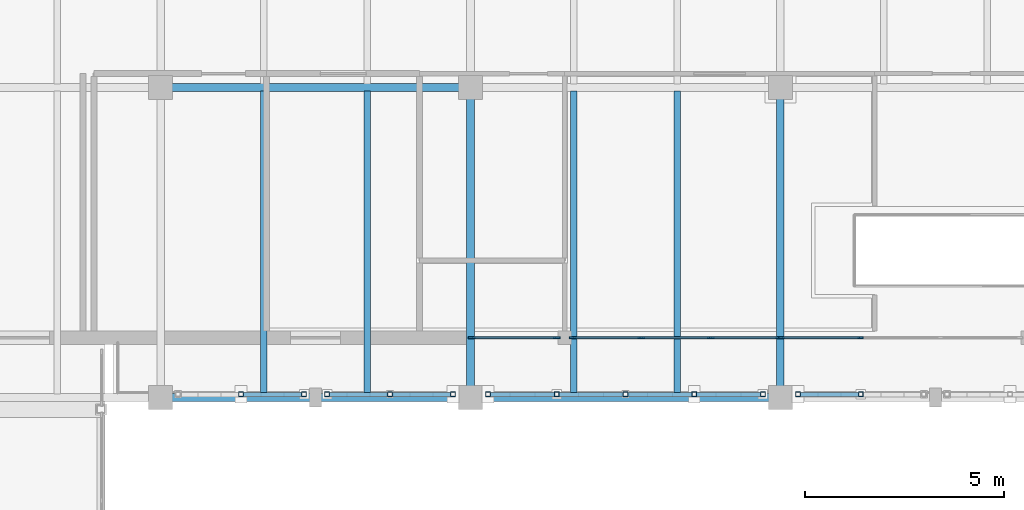
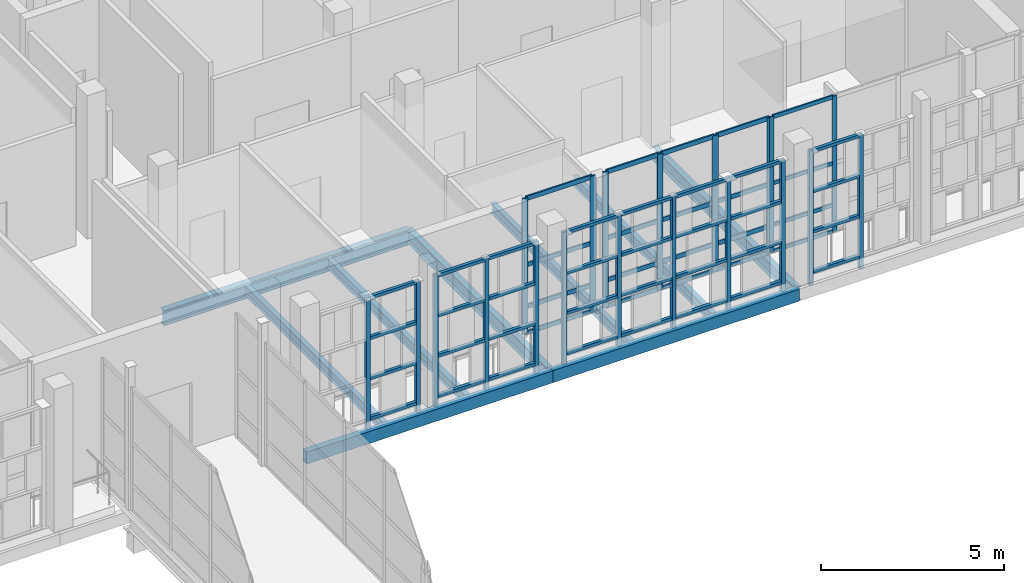
# One storey, part 56 of 138: 72 members, 9 beams, 3 elements without a shape of their own.
"""IFC4 building model written with IfcOpenShell, lengths in metres."""

from ifc_helpers import new_model, si_unit, direction, frame, origin, origin_2d, place, context, subcontext, project, spatial, rectangle, hollow_rectangle, i_section, extrude, material, layer, layer_set, material_profile, profile_set, type_object, element, aggregate, save


model = new_model("IFC4")

# Units and contexts
model_context = context("Model", 3, precision=1e-05, world=origin(), true_north=direction((0.0, 1.0)))
body_context = subcontext(model_context, "Body", "Model", "MODEL_VIEW")
ifc_project = project(units=[si_unit("LENGTHUNIT", "METRE"), si_unit("AREAUNIT", "SQUARE_METRE"), si_unit("VOLUMEUNIT", "CUBIC_METRE"), si_unit("PLANEANGLEUNIT", "RADIAN"), si_unit("MASSUNIT", "GRAM", prefix="KILO")], contexts=[model_context])

# Site, building, storey
site_placement = place(None, origin())
site = spatial("IfcSite", under=ifc_project, at=site_placement, CompositionType="ELEMENT")
building_placement = place(site_placement, origin())
building = spatial("IfcBuilding", under=site, at=building_placement, Name="Celorna Specialist Clinic", CompositionType="ELEMENT")
storey_placement = place(building_placement, frame((0.0, 0.0, 4.800048828125)))
storey = spatial("IfcBuildingStorey", under=building, at=storey_placement, Name="L01", CompositionType="ELEMENT", Elevation=4.800048828125)

# Beams
ifc_material_1 = material(Name="Steel S355", Category="steel")
ifc_material_profile_1 = material_profile(ifc_material_1, i_section(OverallWidth=0.199951171875, OverallDepth=0.5, WebThickness=0.01025390625, FlangeThickness=0.01611328125, at=origin_2d()), Name="IPE 500")
ifc_profile_set_1 = profile_set([ifc_material_profile_1], Name="Steel S355")
beam_type_1 = type_object("IfcBeamType", Name="BM-08", PredefinedType="BEAM", material=ifc_profile_set_1)
beam_placement = place(storey_placement, frame((78.0, 104.300048828125, -0.510009765625), z_axis=(1.0, 0.0, 0.0), x_axis=(0.0, 1.0, 0.0)))
element("IfcBeam", 1, at=beam_placement, inside=storey, type_object=beam_type_1, Name="Primary girder BM-08 #889", PredefinedType="BEAM", context=body_context, shape_type="SweptSolid", body=[
    extrude(i_section(OverallWidth=0.199951171875, OverallDepth=0.5, WebThickness=0.01025390625, FlangeThickness=0.01611328125, at=origin_2d()), origin(), (0.0, 0.0, 1.0), 7.800048828125),
])
ifc_material_profile_2 = material_profile(ifc_material_1, i_section(OverallWidth=0.18994140625, OverallDepth=0.449951171875, WebThickness=0.009521484375, FlangeThickness=0.0146484375, at=origin_2d()), Name="IPE 450")
ifc_profile_set_2 = profile_set([ifc_material_profile_2], Name="Steel S355")
beam_type_2 = type_object("IfcBeamType", Name="BM-09", PredefinedType="BEAM", material=ifc_profile_set_2)
for number, where, z_axis, x_axis, name in (
    (2, (85.800048828125, 96.5, -0.485107421875), (0.0, 1.0, 0.0), (-1.0, 0.0, 0.0), "Transverse girder BM-09 #948"),
    (3, (93.60009765625, 96.5, -0.485107421875), (0.0, 1.0, 0.0), (-1.0, 0.0, 0.0), "Transverse girder BM-09 #951"),
):
    element("IfcBeam", number, at=place(storey_placement, frame(where, z_axis=z_axis, x_axis=x_axis)), inside=storey, type_object=beam_type_2, Name=name, PredefinedType="BEAM", context=body_context, shape_type="SweptSolid", body=[
        extrude(i_section(OverallWidth=0.18994140625, OverallDepth=0.449951171875, WebThickness=0.009521484375, FlangeThickness=0.0146484375, at=origin_2d()), origin(), (0.0, 0.0, 1.0), 7.800048828125),
    ])
ifc_material_profile_3 = material_profile(ifc_material_1, i_section(OverallWidth=0.159912109375, OverallDepth=0.330078125, WebThickness=0.007568359375, FlangeThickness=0.011474609375, at=origin_2d()), Name="IPE 330")
ifc_profile_set_3 = profile_set([ifc_material_profile_3], Name="Steel S355")
beam_type_3 = type_object("IfcBeamType", Name="BM-12", PredefinedType="JOIST", material=ifc_profile_set_3)
for number, where, z_axis, x_axis, name in (
    (4, (80.60009765625, 96.587890625, -0.425048828125), (0.0, 1.0, 0.0), (-1.0, 0.0, 0.0), "Secondary floor joist BM-12 #1005"),
    (5, (83.199951171875, 96.587890625, -0.425048828125), (0.0, 1.0, 0.0), (-1.0, 0.0, 0.0), "Secondary floor joist BM-12 #1006"),
    (6, (88.39990234375, 96.587890625, -0.425048828125), (0.0, 1.0, 0.0), (-1.0, 0.0, 0.0), "Secondary floor joist BM-12 #1009"),
    (7, (91.0, 96.587890625, -0.425048828125), (0.0, 1.0, 0.0), (-1.0, 0.0, 0.0), "Secondary floor joist BM-12 #1010"),
):
    element("IfcBeam", number, at=place(storey_placement, frame(where, z_axis=z_axis, x_axis=x_axis)), inside=storey, type_object=beam_type_3, Name=name, PredefinedType="JOIST", context=body_context, shape_type="SweptSolid", body=[
        extrude(i_section(OverallWidth=0.159912109375, OverallDepth=0.330078125, WebThickness=0.007568359375, FlangeThickness=0.011474609375, at=origin_2d()), origin(), (0.0, 0.0, 1.0), 7.6240234375),
    ])
ifc_material_profile_4 = material_profile(ifc_material_1, hollow_rectangle(XDim=0.199951171875, YDim=0.39990234375, WallThickness=0.011962890625, at=origin_2d()), Name="RHS 200x400x12")
ifc_profile_set_4 = profile_set([ifc_material_profile_4], Name="Steel S355")
beam_type_4 = type_object("IfcBeamType", Name="BM-15", PredefinedType="SPANDREL", material=ifc_profile_set_4)
for number, where, z_axis, x_axis, name in (
    (8, (78.0, 96.5, -0.4599609375), (1.0, 0.0, 0.0), (0.0, 1.0, 0.0), "Spandrel beam BM-15 #873"),
    (9, (85.800048828125, 96.5, -0.4599609375), (1.0, 0.0, 0.0), (0.0, 1.0, 0.0), "Spandrel beam BM-15 #874"),
):
    element("IfcBeam", number, at=place(storey_placement, frame(where, z_axis=z_axis, x_axis=x_axis)), inside=storey, type_object=beam_type_4, Name=name, PredefinedType="SPANDREL", context=body_context, shape_type="SweptSolid", body=[
        extrude(hollow_rectangle(XDim=0.199951171875, YDim=0.39990234375, WallThickness=0.011962890625, at=origin_2d()), origin(), (0.0, 0.0, 1.0), 7.800048828125),
    ])

# Members
ifc_material_profile_5 = material_profile(ifc_material_1, hollow_rectangle(XDim=0.1201171875, YDim=0.1201171875, WallThickness=0.008056640625, at=origin_2d()), Name="SHS 120x120x8")
ifc_profile_set_5 = profile_set([ifc_material_profile_5], Name="Steel S355")
member_type_1 = type_object("IfcMemberType", Name="MB-11", PredefinedType="STUD", material=ifc_profile_set_5)
for number, where, z_axis, x_axis, name in (
    (10, (80.02490234375, 96.580078125, -0.360107421875), (0.0, 0.0, 1.0), (1.0, 0.0, 0.0), "Perforated screen steel post #772"),
    (11, (81.610107421875, 96.580078125, -0.360107421875), (0.0, 0.0, 1.0), (1.0, 0.0, 0.0), "Perforated screen steel post #773"),
    (12, (82.18994140625, 96.580078125, -0.360107421875), (0.0, 0.0, 1.0), (1.0, 0.0, 0.0), "Perforated screen steel post #782"),
    (13, (83.77490234375, 96.580078125, -0.360107421875), (0.0, 0.0, 1.0), (1.0, 0.0, 0.0), "Perforated screen steel post #783"),
    (14, (85.360107421875, 96.580078125, -0.360107421875), (0.0, 0.0, 1.0), (1.0, 0.0, 0.0), "Perforated screen steel post #784"),
    (15, (86.239990234375, 96.580078125, -0.360107421875), (0.0, 0.0, 1.0), (1.0, 0.0, 0.0), "Perforated screen steel post #793"),
    (16, (87.969970703125, 96.580078125, -0.360107421875), (0.0, 0.0, 1.0), (1.0, 0.0, 0.0), "Perforated screen steel post #794"),
    (17, (89.699951171875, 96.580078125, -0.360107421875), (0.0, 0.0, 1.0), (1.0, 0.0, 0.0), "Perforated screen steel post #795"),
    (18, (91.429931640625, 96.580078125, -0.360107421875), (0.0, 0.0, 1.0), (1.0, 0.0, 0.0), "Perforated screen steel post #796"),
    (19, (93.159912109375, 96.580078125, -0.360107421875), (0.0, 0.0, 1.0), (1.0, 0.0, 0.0), "Perforated screen steel post #797"),
    (20, (94.0400390625, 96.580078125, -0.360107421875), (0.0, 0.0, 1.0), (1.0, 0.0, 0.0), "Perforated screen steel post #814"),
    (21, (95.625, 96.580078125, -0.360107421875), (0.0, 0.0, 1.0), (1.0, 0.0, 0.0), "Perforated screen steel post #815"),
):
    element("IfcMember", number, at=place(storey_placement, frame(where, z_axis=z_axis, x_axis=x_axis)), inside=storey, type_object=member_type_1, Name=name, PredefinedType="STUD", context=body_context, shape_type="SweptSolid", body=[
        extrude(hollow_rectangle(XDim=0.1201171875, YDim=0.1201171875, WallThickness=0.008056640625, at=origin_2d()), origin(), (0.0, 0.0, 1.0), 4.5),
    ])
ifc_material_profile_6 = material_profile(ifc_material_1, hollow_rectangle(XDim=0.10009765625, YDim=0.10009765625, WallThickness=0.006103515625, at=origin_2d()), Name="SHS 100x100x6")
ifc_profile_set_6 = profile_set([ifc_material_profile_6], Name="Steel S355")
member_type_2 = type_object("IfcMemberType", Name="MB-12", PredefinedType="STUD", material=ifc_profile_set_6)
for number, where, z_axis, x_axis, name in (
    (22, (80.0849609375, 96.580078125, 0.050048828125), (1.0, 0.0, 0.0), (0.0, 1.0, 0.0), "Perforated screen rail #778"),
    (23, (80.0849609375, 96.580078125, 1.396728515625), (1.0, 0.0, 0.0), (0.0, 1.0, 0.0), "Perforated screen rail #779"),
    (24, (80.0849609375, 96.580078125, 2.7431640625), (1.0, 0.0, 0.0), (0.0, 1.0, 0.0), "Perforated screen rail #780"),
    (25, (80.0849609375, 96.580078125, 4.08984375), (1.0, 0.0, 0.0), (0.0, 1.0, 0.0), "Perforated screen rail #781"),
    (26, (82.25, 96.580078125, 0.050048828125), (1.0, 0.0, 0.0), (0.0, 1.0, 0.0), "Perforated screen rail #785"),
    (27, (82.25, 96.580078125, 1.396728515625), (1.0, 0.0, 0.0), (0.0, 1.0, 0.0), "Perforated screen rail #786"),
    (28, (82.25, 96.580078125, 2.7431640625), (1.0, 0.0, 0.0), (0.0, 1.0, 0.0), "Perforated screen rail #787"),
    (29, (82.25, 96.580078125, 4.08984375), (1.0, 0.0, 0.0), (0.0, 1.0, 0.0), "Perforated screen rail #788"),
    (30, (83.8349609375, 96.580078125, 0.050048828125), (1.0, 0.0, 0.0), (0.0, 1.0, 0.0), "Perforated screen rail #789"),
    (31, (83.8349609375, 96.580078125, 1.396728515625), (1.0, 0.0, 0.0), (0.0, 1.0, 0.0), "Perforated screen rail #790"),
    (32, (83.8349609375, 96.580078125, 2.7431640625), (1.0, 0.0, 0.0), (0.0, 1.0, 0.0), "Perforated screen rail #791"),
    (33, (83.8349609375, 96.580078125, 4.08984375), (1.0, 0.0, 0.0), (0.0, 1.0, 0.0), "Perforated screen rail #792"),
):
    element("IfcMember", number, at=place(storey_placement, frame(where, z_axis=z_axis, x_axis=x_axis)), inside=storey, type_object=member_type_2, Name=name, PredefinedType="STUD", context=body_context, shape_type="SweptSolid", body=[
        extrude(hollow_rectangle(XDim=0.10009765625, YDim=0.10009765625, WallThickness=0.006103515625, at=origin_2d()), origin(), (0.0, 0.0, 1.0), 1.465087890625),
    ])
for number, where, z_axis, x_axis, name in (
    (34, (86.300048828125, 96.580078125, 0.050048828125), (1.0, 0.0, 0.0), (0.0, 1.0, 0.0), "Perforated screen rail #798"),
    (35, (86.300048828125, 96.580078125, 1.396728515625), (1.0, 0.0, 0.0), (0.0, 1.0, 0.0), "Perforated screen rail #799"),
    (36, (86.300048828125, 96.580078125, 2.7431640625), (1.0, 0.0, 0.0), (0.0, 1.0, 0.0), "Perforated screen rail #800"),
    (37, (86.300048828125, 96.580078125, 4.08984375), (1.0, 0.0, 0.0), (0.0, 1.0, 0.0), "Perforated screen rail #801"),
    (38, (88.030029296875, 96.580078125, 0.050048828125), (1.0, 0.0, 0.0), (0.0, 1.0, 0.0), "Perforated screen rail #802"),
    (39, (88.030029296875, 96.580078125, 1.396728515625), (1.0, 0.0, 0.0), (0.0, 1.0, 0.0), "Perforated screen rail #803"),
    (40, (88.030029296875, 96.580078125, 2.7431640625), (1.0, 0.0, 0.0), (0.0, 1.0, 0.0), "Perforated screen rail #804"),
    (41, (88.030029296875, 96.580078125, 4.08984375), (1.0, 0.0, 0.0), (0.0, 1.0, 0.0), "Perforated screen rail #805"),
):
    element("IfcMember", number, at=place(storey_placement, frame(where, z_axis=z_axis, x_axis=x_axis)), inside=storey, type_object=member_type_2, Name=name, PredefinedType="STUD", context=body_context, shape_type="SweptSolid", body=[
        extrude(hollow_rectangle(XDim=0.10009765625, YDim=0.10009765625, WallThickness=0.006103515625, at=origin_2d()), origin(), (0.0, 0.0, 1.0), 1.60986328125),
    ])
for number, where, z_axis, x_axis, name in (
    (42, (89.760009765625, 96.580078125, 0.050048828125), (1.0, 0.0, 0.0), (0.0, 1.0, 0.0), "Perforated screen rail #806"),
    (43, (89.760009765625, 96.580078125, 1.396728515625), (1.0, 0.0, 0.0), (0.0, 1.0, 0.0), "Perforated screen rail #807"),
    (44, (89.760009765625, 96.580078125, 2.7431640625), (1.0, 0.0, 0.0), (0.0, 1.0, 0.0), "Perforated screen rail #808"),
    (45, (89.760009765625, 96.580078125, 4.08984375), (1.0, 0.0, 0.0), (0.0, 1.0, 0.0), "Perforated screen rail #809"),
    (46, (91.489990234375, 96.580078125, 0.050048828125), (1.0, 0.0, 0.0), (0.0, 1.0, 0.0), "Perforated screen rail #810"),
    (47, (91.489990234375, 96.580078125, 1.396728515625), (1.0, 0.0, 0.0), (0.0, 1.0, 0.0), "Perforated screen rail #811"),
    (48, (91.489990234375, 96.580078125, 2.7431640625), (1.0, 0.0, 0.0), (0.0, 1.0, 0.0), "Perforated screen rail #812"),
    (49, (91.489990234375, 96.580078125, 4.08984375), (1.0, 0.0, 0.0), (0.0, 1.0, 0.0), "Perforated screen rail #813"),
):
    element("IfcMember", number, at=place(storey_placement, frame(where, z_axis=z_axis, x_axis=x_axis)), inside=storey, type_object=member_type_2, Name=name, PredefinedType="STUD", context=body_context, shape_type="SweptSolid", body=[
        extrude(hollow_rectangle(XDim=0.10009765625, YDim=0.10009765625, WallThickness=0.006103515625, at=origin_2d()), origin(), (0.0, 0.0, 1.0), 1.610107421875),
    ])
for number, where, z_axis, x_axis, name in (
    (50, (94.10009765625, 96.580078125, 0.050048828125), (1.0, 0.0, 0.0), (0.0, 1.0, 0.0), "Perforated screen rail #817"),
    (51, (94.10009765625, 96.580078125, 1.396728515625), (1.0, 0.0, 0.0), (0.0, 1.0, 0.0), "Perforated screen rail #818"),
    (52, (94.10009765625, 96.580078125, 2.7431640625), (1.0, 0.0, 0.0), (0.0, 1.0, 0.0), "Perforated screen rail #819"),
    (53, (94.10009765625, 96.580078125, 4.08984375), (1.0, 0.0, 0.0), (0.0, 1.0, 0.0), "Perforated screen rail #820"),
):
    element("IfcMember", number, at=place(storey_placement, frame(where, z_axis=z_axis, x_axis=x_axis)), inside=storey, type_object=member_type_2, Name=name, PredefinedType="STUD", context=body_context, shape_type="SweptSolid", body=[
        extrude(hollow_rectangle(XDim=0.10009765625, YDim=0.10009765625, WallThickness=0.006103515625, at=origin_2d()), origin(), (0.0, 0.0, 1.0), 1.46484375),
    ])

# Curtain wall, members
ifc_material_2 = material(Name="Thermally broken aluminium and solar-control glass curtain wall", Category="aluminium")
ifc_layer_1 = layer(ifc_material_2, 0.159912109375, Name="Thermally broken aluminium and solar-control glass curtain wall")
ifc_layer_set_1 = layer_set([ifc_layer_1], Name="Thermally broken aluminium and solar-control glass curtain wall")
curtain_wall_type_1 = type_object("IfcCurtainWallType", Name="CW-51", PredefinedType="NOTDEFINED", material=ifc_layer_set_1)
curtain_wall_1_placement = place(storey_placement, origin())
curtain_wall_1 = element("IfcCurtainWall", 54, at=curtain_wall_1_placement, inside=storey, type_object=curtain_wall_type_1, Name="Curtain wall CW-51 #105", PredefinedType="NOTDEFINED")
ifc_material_3 = material(Name="Anodized aluminium mullion", Category="aluminium")
ifc_material_profile_7 = material_profile(ifc_material_3, rectangle(XDim=0.050048828125, YDim=0.179931640625, at=origin_2d()), Name="ALU MULLION 50x180")
ifc_profile_set_7 = profile_set([ifc_material_profile_7], Name="Anodized aluminium mullion")
member_type_3 = type_object("IfcMemberType", Name="ML-02", PredefinedType="MULLION", material=ifc_profile_set_7)
member_1_placement = place(storey_placement, frame((93.571044921875, 98.0, 0.0), z_axis=(0.0, 0.0, 1.0), x_axis=(0.0, -1.0, 0.0)))
member_1 = element("IfcMember", 55, at=member_1_placement, type_object=member_type_3, Name="CW-51 mullion 1", PredefinedType="MULLION", context=body_context, shape_type="SweptSolid", body=[
    extrude(rectangle(XDim=0.050048828125, YDim=0.179931640625, at=origin_2d()), origin(), (0.0, 0.0, 1.0), 4.5400390625),
])
member_2_placement = place(storey_placement, frame((91.84521484375, 98.0, 0.0), z_axis=(0.0, 0.0, 1.0), x_axis=(0.0, -1.0, 0.0)))
member_2 = element("IfcMember", 56, at=member_2_placement, type_object=member_type_3, Name="CW-51 mullion 2", PredefinedType="MULLION", context=body_context, shape_type="SweptSolid", body=[
    extrude(rectangle(XDim=0.050048828125, YDim=0.179931640625, at=origin_2d()), origin(), (0.0, 0.0, 1.0), 4.5400390625),
])
member_3_placement = place(storey_placement, frame((90.0947265625, 98.0, 0.0), z_axis=(0.0, 0.0, 1.0), x_axis=(0.0, -1.0, 0.0)))
member_3 = element("IfcMember", 57, at=member_3_placement, type_object=member_type_3, Name="CW-51 mullion 3", PredefinedType="MULLION", context=body_context, shape_type="SweptSolid", body=[
    extrude(rectangle(XDim=0.050048828125, YDim=0.179931640625, at=origin_2d()), origin(), (0.0, 0.0, 1.0), 4.5400390625),
])
member_4_placement = place(storey_placement, frame((88.368896484375, 98.0, 0.0), z_axis=(0.0, 0.0, 1.0), x_axis=(0.0, -1.0, 0.0)))
member_4 = element("IfcMember", 58, at=member_4_placement, type_object=member_type_3, Name="CW-51 mullion 4", PredefinedType="MULLION", context=body_context, shape_type="SweptSolid", body=[
    extrude(rectangle(XDim=0.050048828125, YDim=0.179931640625, at=origin_2d()), origin(), (0.0, 0.0, 1.0), 4.5400390625),
])

ifc_layer_2 = layer(ifc_material_2, 0.159912109375, Name="Thermally broken aluminium and solar-control glass curtain wall")
ifc_layer_set_2 = layer_set([ifc_layer_2], Name="Thermally broken aluminium and solar-control glass curtain wall")
curtain_wall_type_2 = type_object("IfcCurtainWallType", Name="CW-52", PredefinedType="NOTDEFINED", material=ifc_layer_set_2)
curtain_wall_2_placement = place(storey_placement, origin())
curtain_wall_2 = element("IfcCurtainWall", 59, at=curtain_wall_2_placement, inside=storey, type_object=curtain_wall_type_2, Name="Curtain wall CW-52 #106", PredefinedType="NOTDEFINED")
member_5_placement = place(storey_placement, frame((87.970947265625, 98.0, 0.0), z_axis=(0.0, 0.0, 1.0), x_axis=(0.0, -1.0, 0.0)))
member_5 = element("IfcMember", 60, at=member_5_placement, type_object=member_type_3, Name="CW-52 mullion 1", PredefinedType="MULLION", context=body_context, shape_type="SweptSolid", body=[
    extrude(rectangle(XDim=0.050048828125, YDim=0.179931640625, at=origin_2d()), origin(), (0.0, 0.0, 1.0), 4.5400390625),
])
member_6_placement = place(storey_placement, frame((85.8291015625, 98.0, 0.0), z_axis=(0.0, 0.0, 1.0), x_axis=(0.0, -1.0, 0.0)))
member_6 = element("IfcMember", 61, at=member_6_placement, type_object=member_type_3, Name="CW-52 mullion 2", PredefinedType="MULLION", context=body_context, shape_type="SweptSolid", body=[
    extrude(rectangle(XDim=0.050048828125, YDim=0.179931640625, at=origin_2d()), origin(), (0.0, 0.0, 1.0), 4.5400390625),
])

ifc_layer_3 = layer(ifc_material_2, 0.159912109375, Name="Thermally broken aluminium and solar-control glass curtain wall")
ifc_layer_set_3 = layer_set([ifc_layer_3], Name="Thermally broken aluminium and solar-control glass curtain wall")
curtain_wall_type_3 = type_object("IfcCurtainWallType", Name="CW-54", PredefinedType="NOTDEFINED", material=ifc_layer_set_3)
curtain_wall_3_placement = place(storey_placement, origin())
curtain_wall_3 = element("IfcCurtainWall", 62, at=curtain_wall_3_placement, inside=storey, type_object=curtain_wall_type_3, Name="Curtain wall CW-54 #108", PredefinedType="NOTDEFINED")
ifc_material_profile_8 = material_profile(ifc_material_3, rectangle(XDim=0.050048828125, YDim=0.139892578125, at=origin_2d()), Name="ALU MULLION 50x140")
ifc_profile_set_8 = profile_set([ifc_material_profile_8], Name="Anodized aluminium mullion")
member_type_4 = type_object("IfcMemberType", Name="ML-03", PredefinedType="MULLION", material=ifc_profile_set_8)
member_7_placement = place(storey_placement, frame((95.617919921875, 98.0, 0.0), z_axis=(0.0, 0.0, 1.0), x_axis=(0.0, -1.0, 0.0)))
member_7 = element("IfcMember", 63, at=member_7_placement, type_object=member_type_4, Name="CW-54 mullion 3", PredefinedType="MULLION", context=body_context, shape_type="SweptSolid", body=[
    extrude(rectangle(XDim=0.050048828125, YDim=0.139892578125, at=origin_2d()), origin(), (0.0, 0.0, 1.0), 4.5400390625),
])
member_8_placement = place(storey_placement, frame((93.62890625, 98.0, 0.0), z_axis=(0.0, 0.0, 1.0), x_axis=(0.0, -1.0, 0.0)))
member_8 = element("IfcMember", 64, at=member_8_placement, type_object=member_type_4, Name="CW-54 mullion 4", PredefinedType="MULLION", context=body_context, shape_type="SweptSolid", body=[
    extrude(rectangle(XDim=0.050048828125, YDim=0.139892578125, at=origin_2d()), origin(), (0.0, 0.0, 1.0), 4.5400390625),
])
ifc_material_4 = material(Name="Anodized aluminium transom", Category="aluminium")
ifc_material_profile_9 = material_profile(ifc_material_4, rectangle(XDim=0.050048828125, YDim=0.1298828125, at=origin_2d()), Name="ALU TRANSOM 50x130")
ifc_profile_set_9 = profile_set([ifc_material_profile_9], Name="Anodized aluminium transom")
member_type_5 = type_object("IfcMemberType", Name="TR-01", PredefinedType="USERDEFINED", material=ifc_profile_set_9)
member_9_placement = place(storey_placement, frame((95.593017578125, 98.0, 0.02490234375), z_axis=(-1.0, 0.0, 0.0), x_axis=(0.0, -1.0, 0.0)))
member_9 = element("IfcMember", 65, at=member_9_placement, type_object=member_type_5, Name="CW-54 transom 3.1", ObjectType="TRANSOM", PredefinedType="USERDEFINED", context=body_context, shape_type="SweptSolid", body=[
    extrude(rectangle(XDim=0.050048828125, YDim=0.1298828125, at=origin_2d()), origin(), (0.0, 0.0, 1.0), 1.93896484375),
])
member_10_placement = place(storey_placement, frame((95.593017578125, 98.0, 0.89990234375), z_axis=(-1.0, 0.0, 0.0), x_axis=(0.0, -1.0, 0.0)))
member_10 = element("IfcMember", 66, at=member_10_placement, type_object=member_type_5, Name="CW-54 transom 3.2", ObjectType="TRANSOM", PredefinedType="USERDEFINED", context=body_context, shape_type="SweptSolid", body=[
    extrude(rectangle(XDim=0.050048828125, YDim=0.1298828125, at=origin_2d()), origin(), (0.0, 0.0, 1.0), 1.93896484375),
])
member_11_placement = place(storey_placement, frame((95.593017578125, 98.0, 2.300048828125), z_axis=(-1.0, 0.0, 0.0), x_axis=(0.0, -1.0, 0.0)))
member_11 = element("IfcMember", 67, at=member_11_placement, type_object=member_type_5, Name="CW-54 transom 3.3", ObjectType="TRANSOM", PredefinedType="USERDEFINED", context=body_context, shape_type="SweptSolid", body=[
    extrude(rectangle(XDim=0.050048828125, YDim=0.1298828125, at=origin_2d()), origin(), (0.0, 0.0, 1.0), 1.93896484375),
])
member_12_placement = place(storey_placement, frame((95.593017578125, 98.0, 4.514892578125), z_axis=(-1.0, 0.0, 0.0), x_axis=(0.0, -1.0, 0.0)))
member_12 = element("IfcMember", 68, at=member_12_placement, type_object=member_type_5, Name="CW-54 transom 3.4", ObjectType="TRANSOM", PredefinedType="USERDEFINED", context=body_context, shape_type="SweptSolid", body=[
    extrude(rectangle(XDim=0.050048828125, YDim=0.1298828125, at=origin_2d()), origin(), (0.0, 0.0, 1.0), 1.93896484375),
])
aggregate(curtain_wall_3, [member_7, member_8, member_9, member_10, member_11, member_12])

# Member
ifc_material_profile_10 = material_profile(ifc_material_4, rectangle(XDim=0.050048828125, YDim=0.14990234375, at=origin_2d()), Name="ALU TRANSOM 50x150")
ifc_profile_set_10 = profile_set([ifc_material_profile_10], Name="Anodized aluminium transom")
member_type_6 = type_object("IfcMemberType", Name="TR-02", PredefinedType="USERDEFINED", material=ifc_profile_set_10)
member_13_placement = place(storey_placement, frame((93.5458984375, 98.0, 0.02490234375), z_axis=(-1.0, 0.0, 0.0), x_axis=(0.0, -1.0, 0.0)))
member_13 = element("IfcMember", 69, at=member_13_placement, type_object=member_type_6, Name="CW-51 transom 1.1", ObjectType="TRANSOM", PredefinedType="USERDEFINED", context=body_context, shape_type="SweptSolid", body=[
    extrude(rectangle(XDim=0.050048828125, YDim=0.14990234375, at=origin_2d()), origin(), (0.0, 0.0, 1.0), 1.675537109375),
])

member_14_placement = place(storey_placement, frame((93.5458984375, 98.0, 0.89990234375), z_axis=(-1.0, 0.0, 0.0), x_axis=(0.0, -1.0, 0.0)))
member_14 = element("IfcMember", 70, at=member_14_placement, type_object=member_type_6, Name="CW-51 transom 1.2", ObjectType="TRANSOM", PredefinedType="USERDEFINED", context=body_context, shape_type="SweptSolid", body=[
    extrude(rectangle(XDim=0.050048828125, YDim=0.14990234375, at=origin_2d()), origin(), (0.0, 0.0, 1.0), 1.675537109375),
])

member_15_placement = place(storey_placement, frame((93.5458984375, 98.0, 2.300048828125), z_axis=(-1.0, 0.0, 0.0), x_axis=(0.0, -1.0, 0.0)))
member_15 = element("IfcMember", 71, at=member_15_placement, type_object=member_type_6, Name="CW-51 transom 1.3", ObjectType="TRANSOM", PredefinedType="USERDEFINED", context=body_context, shape_type="SweptSolid", body=[
    extrude(rectangle(XDim=0.050048828125, YDim=0.14990234375, at=origin_2d()), origin(), (0.0, 0.0, 1.0), 1.675537109375),
])

member_16_placement = place(storey_placement, frame((93.5458984375, 98.0, 4.514892578125), z_axis=(-1.0, 0.0, 0.0), x_axis=(0.0, -1.0, 0.0)))
member_16 = element("IfcMember", 72, at=member_16_placement, type_object=member_type_6, Name="CW-51 transom 1.4", ObjectType="TRANSOM", PredefinedType="USERDEFINED", context=body_context, shape_type="SweptSolid", body=[
    extrude(rectangle(XDim=0.050048828125, YDim=0.14990234375, at=origin_2d()), origin(), (0.0, 0.0, 1.0), 1.675537109375),
])

member_17_placement = place(storey_placement, frame((91.8203125, 98.0, 0.02490234375), z_axis=(-1.0, 0.0, 0.0), x_axis=(0.0, -1.0, 0.0)))
member_17 = element("IfcMember", 73, at=member_17_placement, type_object=member_type_6, Name="CW-51 transom 2.1", ObjectType="TRANSOM", PredefinedType="USERDEFINED", context=body_context, shape_type="SweptSolid", body=[
    extrude(rectangle(XDim=0.050048828125, YDim=0.14990234375, at=origin_2d()), origin(), (0.0, 0.0, 1.0), 1.70068359375),
])

member_18_placement = place(storey_placement, frame((91.8203125, 98.0, 0.89990234375), z_axis=(-1.0, 0.0, 0.0), x_axis=(0.0, -1.0, 0.0)))
member_18 = element("IfcMember", 74, at=member_18_placement, type_object=member_type_6, Name="CW-51 transom 2.2", ObjectType="TRANSOM", PredefinedType="USERDEFINED", context=body_context, shape_type="SweptSolid", body=[
    extrude(rectangle(XDim=0.050048828125, YDim=0.14990234375, at=origin_2d()), origin(), (0.0, 0.0, 1.0), 1.70068359375),
])

member_19_placement = place(storey_placement, frame((91.8203125, 98.0, 2.300048828125), z_axis=(-1.0, 0.0, 0.0), x_axis=(0.0, -1.0, 0.0)))
member_19 = element("IfcMember", 75, at=member_19_placement, type_object=member_type_6, Name="CW-51 transom 2.3", ObjectType="TRANSOM", PredefinedType="USERDEFINED", context=body_context, shape_type="SweptSolid", body=[
    extrude(rectangle(XDim=0.050048828125, YDim=0.14990234375, at=origin_2d()), origin(), (0.0, 0.0, 1.0), 1.70068359375),
])

member_20_placement = place(storey_placement, frame((91.8203125, 98.0, 4.514892578125), z_axis=(-1.0, 0.0, 0.0), x_axis=(0.0, -1.0, 0.0)))
member_20 = element("IfcMember", 76, at=member_20_placement, type_object=member_type_6, Name="CW-51 transom 2.4", ObjectType="TRANSOM", PredefinedType="USERDEFINED", context=body_context, shape_type="SweptSolid", body=[
    extrude(rectangle(XDim=0.050048828125, YDim=0.14990234375, at=origin_2d()), origin(), (0.0, 0.0, 1.0), 1.70068359375),
])

member_21_placement = place(storey_placement, frame((90.069580078125, 98.0, 0.02490234375), z_axis=(-1.0, 0.0, 0.0), x_axis=(0.0, -1.0, 0.0)))
member_21 = element("IfcMember", 77, at=member_21_placement, type_object=member_type_6, Name="CW-51 transom 3.1", ObjectType="TRANSOM", PredefinedType="USERDEFINED", context=body_context, shape_type="SweptSolid", body=[
    extrude(rectangle(XDim=0.050048828125, YDim=0.14990234375, at=origin_2d()), origin(), (0.0, 0.0, 1.0), 1.675537109375),
])

member_22_placement = place(storey_placement, frame((90.069580078125, 98.0, 0.89990234375), z_axis=(-1.0, 0.0, 0.0), x_axis=(0.0, -1.0, 0.0)))
member_22 = element("IfcMember", 78, at=member_22_placement, type_object=member_type_6, Name="CW-51 transom 3.2", ObjectType="TRANSOM", PredefinedType="USERDEFINED", context=body_context, shape_type="SweptSolid", body=[
    extrude(rectangle(XDim=0.050048828125, YDim=0.14990234375, at=origin_2d()), origin(), (0.0, 0.0, 1.0), 1.675537109375),
])

member_23_placement = place(storey_placement, frame((90.069580078125, 98.0, 2.300048828125), z_axis=(-1.0, 0.0, 0.0), x_axis=(0.0, -1.0, 0.0)))
member_23 = element("IfcMember", 79, at=member_23_placement, type_object=member_type_6, Name="CW-51 transom 3.3", ObjectType="TRANSOM", PredefinedType="USERDEFINED", context=body_context, shape_type="SweptSolid", body=[
    extrude(rectangle(XDim=0.050048828125, YDim=0.14990234375, at=origin_2d()), origin(), (0.0, 0.0, 1.0), 1.675537109375),
])

member_24_placement = place(storey_placement, frame((90.069580078125, 98.0, 4.514892578125), z_axis=(-1.0, 0.0, 0.0), x_axis=(0.0, -1.0, 0.0)))
member_24 = element("IfcMember", 80, at=member_24_placement, type_object=member_type_6, Name="CW-51 transom 3.4", ObjectType="TRANSOM", PredefinedType="USERDEFINED", context=body_context, shape_type="SweptSolid", body=[
    extrude(rectangle(XDim=0.050048828125, YDim=0.14990234375, at=origin_2d()), origin(), (0.0, 0.0, 1.0), 1.675537109375),
])

aggregate(curtain_wall_1, [member_1, member_2, member_3, member_4, member_13, member_14, member_15, member_16, member_17, member_18, member_19, member_20, member_21, member_22, member_23, member_24])

member_25_placement = place(storey_placement, frame((87.946044921875, 98.0, 0.02490234375), z_axis=(-1.0, 0.0, 0.0), x_axis=(0.0, -1.0, 0.0)))
member_25 = element("IfcMember", 81, at=member_25_placement, type_object=member_type_6, Name="CW-52 transom 1.1", ObjectType="TRANSOM", PredefinedType="USERDEFINED", context=body_context, shape_type="SweptSolid", body=[
    extrude(rectangle(XDim=0.050048828125, YDim=0.14990234375, at=origin_2d()), origin(), (0.0, 0.0, 1.0), 2.092041015625),
])

member_26_placement = place(storey_placement, frame((87.946044921875, 98.0, 0.89990234375), z_axis=(-1.0, 0.0, 0.0), x_axis=(0.0, -1.0, 0.0)))
member_26 = element("IfcMember", 82, at=member_26_placement, type_object=member_type_6, Name="CW-52 transom 1.2", ObjectType="TRANSOM", PredefinedType="USERDEFINED", context=body_context, shape_type="SweptSolid", body=[
    extrude(rectangle(XDim=0.050048828125, YDim=0.14990234375, at=origin_2d()), origin(), (0.0, 0.0, 1.0), 2.092041015625),
])

member_27_placement = place(storey_placement, frame((87.946044921875, 98.0, 2.300048828125), z_axis=(-1.0, 0.0, 0.0), x_axis=(0.0, -1.0, 0.0)))
member_27 = element("IfcMember", 83, at=member_27_placement, type_object=member_type_6, Name="CW-52 transom 1.3", ObjectType="TRANSOM", PredefinedType="USERDEFINED", context=body_context, shape_type="SweptSolid", body=[
    extrude(rectangle(XDim=0.050048828125, YDim=0.14990234375, at=origin_2d()), origin(), (0.0, 0.0, 1.0), 2.092041015625),
])

member_28_placement = place(storey_placement, frame((87.946044921875, 98.0, 4.514892578125), z_axis=(-1.0, 0.0, 0.0), x_axis=(0.0, -1.0, 0.0)))
member_28 = element("IfcMember", 84, at=member_28_placement, type_object=member_type_6, Name="CW-52 transom 1.4", ObjectType="TRANSOM", PredefinedType="USERDEFINED", context=body_context, shape_type="SweptSolid", body=[
    extrude(rectangle(XDim=0.050048828125, YDim=0.14990234375, at=origin_2d()), origin(), (0.0, 0.0, 1.0), 2.092041015625),
])

aggregate(curtain_wall_2, [member_5, member_6, member_25, member_26, member_27, member_28])

save(model, "model.ifc")
